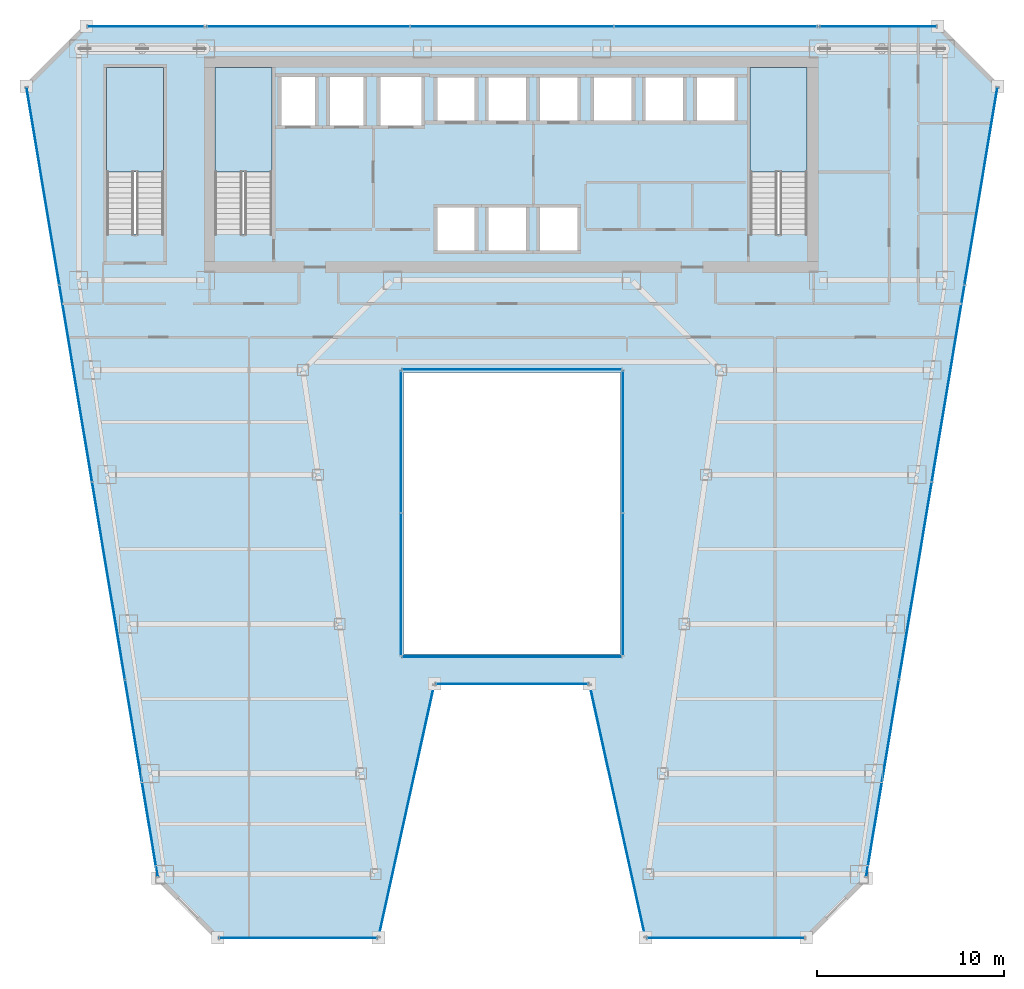
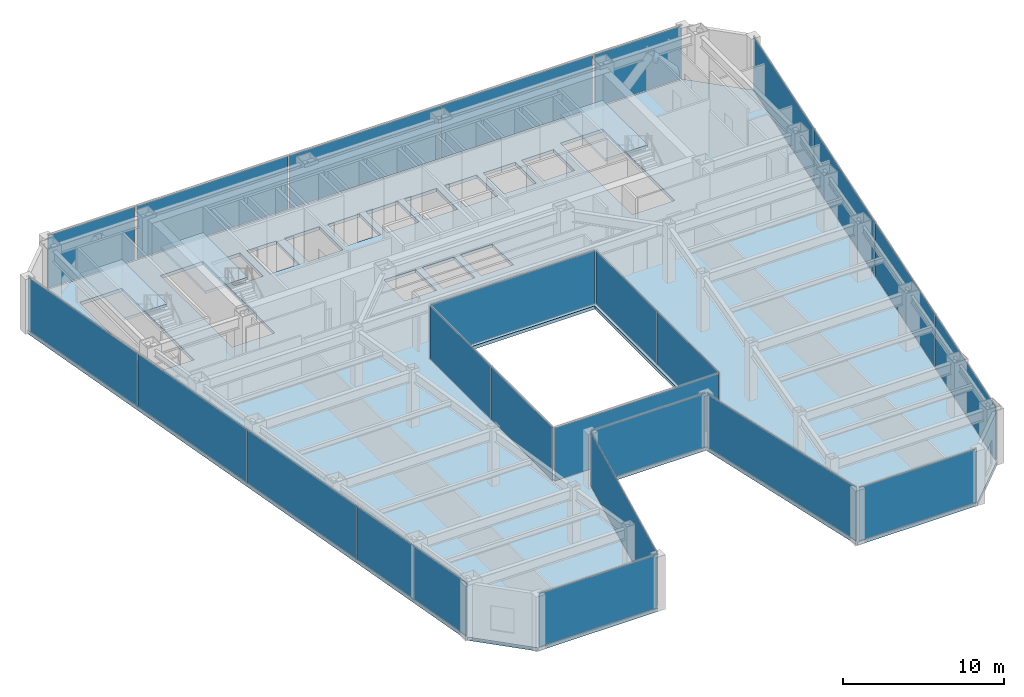
# One storey, part 30 of 37: 24 plates, 4 slabs, 17 elements without a shape of their own.
"""IFC4 building model written with IfcOpenShell, lengths in metres."""

from ifc_helpers import new_model, si_unit, direction, frame, origin, origin_2d, place, context, subcontext, project, spatial, polyline, rectangle, outline, extrude, material, layer, layer_set, type_object, element, aggregate, save


model = new_model("IFC4")

# Units and contexts
model_context = context("Model", 3, precision=1e-05, world=origin(), true_north=direction((0.0, 1.0)))
body_context = subcontext(model_context, "Body", "Model", "MODEL_VIEW")
ifc_project = project(units=[si_unit("LENGTHUNIT", "METRE"), si_unit("AREAUNIT", "SQUARE_METRE"), si_unit("VOLUMEUNIT", "CUBIC_METRE"), si_unit("PLANEANGLEUNIT", "RADIAN"), si_unit("MASSUNIT", "GRAM", prefix="KILO")], contexts=[model_context])

# Site, building, storey
site_placement = place(None, origin())
site = spatial("IfcSite", under=ifc_project, at=site_placement, CompositionType="ELEMENT")
building_placement = place(site_placement, origin())
building = spatial("IfcBuilding", under=site, at=building_placement, Name="Saevonmaru Cultural Tower", CompositionType="ELEMENT")
storey_placement = place(building_placement, frame((0.0, 0.0, 110.39990234375)))
storey = spatial("IfcBuildingStorey", under=building, at=storey_placement, Name="L23", CompositionType="ELEMENT", Elevation=110.39990234375)

# Curtain wall, plate
ifc_material_1 = material(Name="Satin Bronze Anodised Aluminium", Category="aluminium")
curtain_wall_type_1 = type_object("IfcCurtainWallType", Name="CW-ATR-GLZ", PredefinedType="NOTDEFINED", material=ifc_material_1)
curtain_wall_1_placement = place(storey_placement, origin())
curtain_wall_1 = element("IfcCurtainWall", 1, at=curtain_wall_1_placement, inside=storey, type_object=curtain_wall_type_1, Name="L23 Vertical Atrium Glazed Smoke Screen 1", PredefinedType="NOTDEFINED")
ifc_material_2 = material(Name="Fire-Rated Laminated Atrium Glass", Category="glass")
ifc_layer_1 = layer(ifc_material_2, 0.031982421875, Name="Fire-Rated Laminated Atrium Glass")
ifc_layer_set_1 = layer_set([ifc_layer_1], Name="Fire-Rated Laminated Atrium Glass")
plate_type_1 = type_object("IfcPlateType", Name="PN-GLZ-ATR-INT", PredefinedType="CURTAIN_PANEL", material=ifc_layer_set_1)
plate_1_placement = place(storey_placement, frame((30.0, 22.25, 0.067138671875), z_axis=(0.0, 0.0, 1.0), x_axis=(1.0, 0.0, 0.0)))
plate_1 = element("IfcPlate", 2, at=plate_1_placement, type_object=plate_type_1, Name="CW-ATR-L23-1 panel 1.1", PredefinedType="CURTAIN_PANEL", context=body_context, shape_type="SweptSolid", body=[
    extrude(rectangle(XDim=11.7109375, YDim=0.031982421875, at=origin_2d()), origin(), (0.0, 0.0, 1.0), 4.01611328125),
])
aggregate(curtain_wall_1, [plate_1])

# Curtain wall, plates
curtain_wall_2_placement = place(storey_placement, origin())
curtain_wall_2 = element("IfcCurtainWall", 3, at=curtain_wall_2_placement, inside=storey, type_object=curtain_wall_type_1, Name="L23 Vertical Atrium Glazed Smoke Screen 2", PredefinedType="NOTDEFINED")
plate_2_placement = place(storey_placement, frame((35.949951171875, 26.125, 0.067138671875), z_axis=(0.0, 0.0, 1.0), x_axis=(0.0, 1.0, 0.0)))
plate_2 = element("IfcPlate", 4, at=plate_2_placement, type_object=plate_type_1, Name="CW-ATR-L23-2 panel 1.1", PredefinedType="CURTAIN_PANEL", context=body_context, shape_type="SweptSolid", body=[
    extrude(rectangle(XDim=7.56103515625, YDim=0.031982421875, at=origin_2d()), origin(), (0.0, 0.0, 1.0), 4.01611328125),
])
plate_3_placement = place(storey_placement, frame((35.949951171875, 33.7548828125, 0.067138671875), z_axis=(0.0, 0.0, 1.0), x_axis=(0.0, 1.0, 0.0)))
plate_3 = element("IfcPlate", 5, at=plate_3_placement, type_object=plate_type_1, Name="CW-ATR-L23-2 panel 2.1", PredefinedType="CURTAIN_PANEL", context=body_context, shape_type="SweptSolid", body=[
    extrude(rectangle(XDim=7.56103515625, YDim=0.031982421875, at=origin_2d()), origin(), (0.0, 0.0, 1.0), 4.01611328125),
])
aggregate(curtain_wall_2, [plate_2, plate_3])

# Curtain wall, plate
curtain_wall_3_placement = place(storey_placement, origin())
curtain_wall_3 = element("IfcCurtainWall", 6, at=curtain_wall_3_placement, inside=storey, type_object=curtain_wall_type_1, Name="L23 Vertical Atrium Glazed Smoke Screen 3", PredefinedType="NOTDEFINED")
plate_4_placement = place(storey_placement, frame((30.0, 37.6298828125, 0.067138671875), z_axis=(0.0, 0.0, 1.0), x_axis=(-1.0, 0.0, 0.0)))
plate_4 = element("IfcPlate", 7, at=plate_4_placement, type_object=plate_type_1, Name="CW-ATR-L23-3 panel 1.1", PredefinedType="CURTAIN_PANEL", context=body_context, shape_type="SweptSolid", body=[
    extrude(rectangle(XDim=11.7109375, YDim=0.031982421875, at=origin_2d()), origin(), (0.0, 0.0, 1.0), 4.01611328125),
])
aggregate(curtain_wall_3, [plate_4])

# Curtain wall, plates
curtain_wall_4_placement = place(storey_placement, origin())
curtain_wall_4 = element("IfcCurtainWall", 8, at=curtain_wall_4_placement, inside=storey, type_object=curtain_wall_type_1, Name="L23 Vertical Atrium Glazed Smoke Screen 4", PredefinedType="NOTDEFINED")
plate_5_placement = place(storey_placement, frame((24.050048828125, 33.7548828125, 0.067138671875), z_axis=(0.0, 0.0, 1.0), x_axis=(0.0, -1.0, 0.0)))
plate_5 = element("IfcPlate", 9, at=plate_5_placement, type_object=plate_type_1, Name="CW-ATR-L23-4 panel 1.1", PredefinedType="CURTAIN_PANEL", context=body_context, shape_type="SweptSolid", body=[
    extrude(rectangle(XDim=7.56103515625, YDim=0.031982421875, at=origin_2d()), origin(), (0.0, 0.0, 1.0), 4.01611328125),
])
plate_6_placement = place(storey_placement, frame((24.050048828125, 26.125, 0.067138671875), z_axis=(0.0, 0.0, 1.0), x_axis=(0.0, -1.0, 0.0)))
plate_6 = element("IfcPlate", 10, at=plate_6_placement, type_object=plate_type_1, Name="CW-ATR-L23-4 panel 2.1", PredefinedType="CURTAIN_PANEL", context=body_context, shape_type="SweptSolid", body=[
    extrude(rectangle(XDim=7.56103515625, YDim=0.031982421875, at=origin_2d()), origin(), (0.0, 0.0, 1.0), 4.01611328125),
])
aggregate(curtain_wall_4, [plate_5, plate_6])

# Curtain wall, plate
curtain_wall_type_2 = type_object("IfcCurtainWallType", Name="CW-TYP-A", PredefinedType="NOTDEFINED", material=ifc_material_1)
curtain_wall_5_placement = place(storey_placement, origin())
curtain_wall_5 = element("IfcCurtainWall", 11, at=curtain_wall_5_placement, inside=storey, type_object=curtain_wall_type_2, Name="L23 Unitised Curtain Wall E2", PredefinedType="NOTDEFINED")
ifc_material_3 = material(Name="Triple Silver Low-E Insulating Glass", Category="glass")
ifc_layer_2 = layer(ifc_material_3, 0.035888671875, Name="Triple Silver Low-E Insulating Glass")
ifc_layer_set_2 = layer_set([ifc_layer_2], Name="Triple Silver Low-E Insulating Glass")
plate_type_2 = type_object("IfcPlateType", Name="PN-GLZ-IGU", PredefinedType="CURTAIN_PANEL", material=ifc_layer_set_2)
plate_7_placement = place(storey_placement, frame((18.548828125, 7.199951171875, 0.067138671875), z_axis=(0.0, 0.0, 1.0), x_axis=(1.0, 0.0, 0.0)))
plate_7 = element("IfcPlate", 12, at=plate_7_placement, type_object=plate_type_2, Name="CW-TW-L23-E2 panel 1.1", PredefinedType="CURTAIN_PANEL", context=body_context, shape_type="SweptSolid", body=[
    extrude(rectangle(XDim=8.410888671875, YDim=0.035888671875, at=origin_2d()), origin(), (0.0, 0.0, 1.0), 4.01611328125),
])
aggregate(curtain_wall_5, [plate_7])

curtain_wall_6_placement = place(storey_placement, origin())
curtain_wall_6 = element("IfcCurtainWall", 13, at=curtain_wall_6_placement, inside=storey, type_object=curtain_wall_type_2, Name="L23 Unitised Curtain Wall E3", PredefinedType="NOTDEFINED")
plate_8_placement = place(storey_placement, frame((24.348876953125, 14.0, 0.067138671875), z_axis=(0.0, 0.0, 1.0), x_axis=(0.215413319953, 0.976522965212, 0.0)))
plate_8 = element("IfcPlate", 14, at=plate_8_placement, type_object=plate_type_2, Name="CW-TW-L23-E3 panel 1.1", PredefinedType="CURTAIN_PANEL", context=body_context, shape_type="SweptSolid", body=[
    extrude(rectangle(XDim=13.738037109375, YDim=0.035888671875, at=origin_2d()), origin(), (0.0, 0.0, 1.0), 4.01611328125),
])
aggregate(curtain_wall_6, [plate_8])

curtain_wall_7_placement = place(storey_placement, origin())
curtain_wall_7 = element("IfcCurtainWall", 15, at=curtain_wall_7_placement, inside=storey, type_object=curtain_wall_type_2, Name="L23 Unitised Curtain Wall E4", PredefinedType="NOTDEFINED")
plate_9_placement = place(storey_placement, frame((30.0, 20.800048828125, 0.067138671875), z_axis=(0.0, 0.0, 1.0), x_axis=(1.0, 0.0, 0.0)))
plate_9 = element("IfcPlate", 16, at=plate_9_placement, type_object=plate_type_2, Name="CW-TW-L23-E4 panel 1.1", PredefinedType="CURTAIN_PANEL", context=body_context, shape_type="SweptSolid", body=[
    extrude(rectangle(XDim=8.11328125, YDim=0.035888671875, at=origin_2d()), origin(), (0.0, 0.0, 1.0), 4.01611328125),
])
aggregate(curtain_wall_7, [plate_9])

curtain_wall_8_placement = place(storey_placement, origin())
curtain_wall_8 = element("IfcCurtainWall", 17, at=curtain_wall_8_placement, inside=storey, type_object=curtain_wall_type_2, Name="L23 Unitised Curtain Wall E5", PredefinedType="NOTDEFINED")
plate_10_placement = place(storey_placement, frame((35.651123046875, 14.0, 0.067138671875), z_axis=(0.0, 0.0, 1.0), x_axis=(0.215413319953, -0.976522965212, 0.0)))
plate_10 = element("IfcPlate", 18, at=plate_10_placement, type_object=plate_type_2, Name="CW-TW-L23-E5 panel 1.1", PredefinedType="CURTAIN_PANEL", context=body_context, shape_type="SweptSolid", body=[
    extrude(rectangle(XDim=13.738037109375, YDim=0.035888671875, at=origin_2d()), origin(), (0.0, 0.0, 1.0), 4.01611328125),
])
aggregate(curtain_wall_8, [plate_10])

curtain_wall_9_placement = place(storey_placement, origin())
curtain_wall_9 = element("IfcCurtainWall", 19, at=curtain_wall_9_placement, inside=storey, type_object=curtain_wall_type_2, Name="L23 Unitised Curtain Wall E6", PredefinedType="NOTDEFINED")
plate_11_placement = place(storey_placement, frame((41.451171875, 7.199951171875, 0.067138671875), z_axis=(0.0, 0.0, 1.0), x_axis=(1.0, 0.0, 0.0)))
plate_11 = element("IfcPlate", 20, at=plate_11_placement, type_object=plate_type_2, Name="CW-TW-L23-E6 panel 1.1", PredefinedType="CURTAIN_PANEL", context=body_context, shape_type="SweptSolid", body=[
    extrude(rectangle(XDim=8.410888671875, YDim=0.035888671875, at=origin_2d()), origin(), (0.0, 0.0, 1.0), 4.01611328125),
])
aggregate(curtain_wall_9, [plate_11])

# Curtain wall, plates
curtain_wall_10_placement = place(storey_placement, origin())
curtain_wall_10 = element("IfcCurtainWall", 21, at=curtain_wall_10_placement, inside=storey, type_object=curtain_wall_type_2, Name="L23 Unitised Curtain Wall E8", PredefinedType="NOTDEFINED")
plate_12_placement = place(storey_placement, frame((49.839599609375, 15.744384765625, 0.067138671875), z_axis=(0.0, 0.0, 1.0), x_axis=(0.163998702345, 0.986460554523, 0.0)))
plate_12 = element("IfcPlate", 22, at=plate_12_placement, type_object=plate_type_2, Name="CW-TW-L23-E8 panel 1.1", PredefinedType="CURTAIN_PANEL", context=body_context, shape_type="SweptSolid", body=[
    extrude(rectangle(XDim=10.646484375, YDim=0.035888671875, at=origin_2d()), origin(), (0.0, 0.0, 1.0), 4.01611328125),
])
plate_13_placement = place(storey_placement, frame((51.596923828125, 26.314697265625, 0.067138671875), z_axis=(0.0, 0.0, 1.0), x_axis=(0.163998702345, 0.986460554523, 0.0)))
plate_13 = element("IfcPlate", 23, at=plate_13_placement, type_object=plate_type_2, Name="CW-TW-L23-E8 panel 2.1", PredefinedType="CURTAIN_PANEL", context=body_context, shape_type="SweptSolid", body=[
    extrude(rectangle(XDim=10.646484375, YDim=0.035888671875, at=origin_2d()), origin(), (0.0, 0.0, 1.0), 4.01611328125),
])
plate_14_placement = place(storey_placement, frame((53.354248046875, 36.88525390625, 0.067138671875), z_axis=(0.0, 0.0, 1.0), x_axis=(0.163998702345, 0.986460554523, 0.0)))
plate_14 = element("IfcPlate", 24, at=plate_14_placement, type_object=plate_type_2, Name="CW-TW-L23-E8 panel 3.1", PredefinedType="CURTAIN_PANEL", context=body_context, shape_type="SweptSolid", body=[
    extrude(rectangle(XDim=10.646484375, YDim=0.035888671875, at=origin_2d()), origin(), (0.0, 0.0, 1.0), 4.01611328125),
])
plate_15_placement = place(storey_placement, frame((55.111572265625, 47.45556640625, 0.067138671875), z_axis=(0.0, 0.0, 1.0), x_axis=(0.163998702345, 0.986460554523, 0.0)))
plate_15 = element("IfcPlate", 25, at=plate_15_placement, type_object=plate_type_2, Name="CW-TW-L23-E8 panel 4.1", PredefinedType="CURTAIN_PANEL", context=body_context, shape_type="SweptSolid", body=[
    extrude(rectangle(XDim=10.646484375, YDim=0.035888671875, at=origin_2d()), origin(), (0.0, 0.0, 1.0), 4.01611328125),
])
aggregate(curtain_wall_10, [plate_12, plate_13, plate_14, plate_15])

curtain_wall_11_placement = place(storey_placement, origin())
curtain_wall_11 = element("IfcCurtainWall", 26, at=curtain_wall_11_placement, inside=storey, type_object=curtain_wall_type_2, Name="L23 North Spine Unitised Curtain Wall E10B", PredefinedType="NOTDEFINED")
plate_16_placement = place(storey_placement, frame((40.893310546875, 56.0, 0.067138671875), z_axis=(0.0, 0.0, 1.0), x_axis=(-1.0, 0.0, 0.0)))
plate_16 = element("IfcPlate", 27, at=plate_16_placement, type_object=plate_type_2, Name="CW-TW-L23-E10B panel 1.1", PredefinedType="CURTAIN_PANEL", context=body_context, shape_type="SweptSolid", body=[
    extrude(rectangle(XDim=10.82421875, YDim=0.035888671875, at=origin_2d()), origin(), (0.0, 0.0, 1.0), 4.01611328125),
])
plate_17_placement = place(storey_placement, frame((30.0, 56.0, 0.067138671875), z_axis=(0.0, 0.0, 1.0), x_axis=(-1.0, 0.0, 0.0)))
plate_17 = element("IfcPlate", 28, at=plate_17_placement, type_object=plate_type_2, Name="CW-TW-L23-E10B panel 2.1", PredefinedType="CURTAIN_PANEL", context=body_context, shape_type="SweptSolid", body=[
    extrude(rectangle(XDim=10.82421875, YDim=0.035888671875, at=origin_2d()), origin(), (0.0, 0.0, 1.0), 4.01611328125),
])
plate_18_placement = place(storey_placement, frame((19.106689453125, 56.0, 0.067138671875), z_axis=(0.0, 0.0, 1.0), x_axis=(-1.0, 0.0, 0.0)))
plate_18 = element("IfcPlate", 29, at=plate_18_placement, type_object=plate_type_2, Name="CW-TW-L23-E10B panel 3.1", PredefinedType="CURTAIN_PANEL", context=body_context, shape_type="SweptSolid", body=[
    extrude(rectangle(XDim=10.82421875, YDim=0.035888671875, at=origin_2d()), origin(), (0.0, 0.0, 1.0), 4.01611328125),
])
aggregate(curtain_wall_11, [plate_16, plate_17, plate_18])

curtain_wall_12_placement = place(storey_placement, origin())
curtain_wall_12 = element("IfcCurtainWall", 30, at=curtain_wall_12_placement, inside=storey, type_object=curtain_wall_type_2, Name="L23 Unitised Curtain Wall E12", PredefinedType="NOTDEFINED")
plate_19_placement = place(storey_placement, frame((4.888427734375, 47.45556640625, 0.067138671875), z_axis=(0.0, 0.0, 1.0), x_axis=(0.163998702345, -0.986460554523, 0.0)))
plate_19 = element("IfcPlate", 31, at=plate_19_placement, type_object=plate_type_2, Name="CW-TW-L23-E12 panel 1.1", PredefinedType="CURTAIN_PANEL", context=body_context, shape_type="SweptSolid", body=[
    extrude(rectangle(XDim=10.646484375, YDim=0.035888671875, at=origin_2d()), origin(), (0.0, 0.0, 1.0), 4.01611328125),
])
plate_20_placement = place(storey_placement, frame((6.645751953125, 36.88525390625, 0.067138671875), z_axis=(0.0, 0.0, 1.0), x_axis=(0.163998702345, -0.986460554523, 0.0)))
plate_20 = element("IfcPlate", 32, at=plate_20_placement, type_object=plate_type_2, Name="CW-TW-L23-E12 panel 2.1", PredefinedType="CURTAIN_PANEL", context=body_context, shape_type="SweptSolid", body=[
    extrude(rectangle(XDim=10.646484375, YDim=0.035888671875, at=origin_2d()), origin(), (0.0, 0.0, 1.0), 4.01611328125),
])
plate_21_placement = place(storey_placement, frame((8.403076171875, 26.314697265625, 0.067138671875), z_axis=(0.0, 0.0, 1.0), x_axis=(0.163998702345, -0.986460554523, 0.0)))
plate_21 = element("IfcPlate", 33, at=plate_21_placement, type_object=plate_type_2, Name="CW-TW-L23-E12 panel 3.1", PredefinedType="CURTAIN_PANEL", context=body_context, shape_type="SweptSolid", body=[
    extrude(rectangle(XDim=10.646484375, YDim=0.035888671875, at=origin_2d()), origin(), (0.0, 0.0, 1.0), 4.01611328125),
])
plate_22_placement = place(storey_placement, frame((10.160400390625, 15.744384765625, 0.067138671875), z_axis=(0.0, 0.0, 1.0), x_axis=(0.163998702345, -0.986460554523, 0.0)))
plate_22 = element("IfcPlate", 34, at=plate_22_placement, type_object=plate_type_2, Name="CW-TW-L23-E12 panel 4.1", PredefinedType="CURTAIN_PANEL", context=body_context, shape_type="SweptSolid", body=[
    extrude(rectangle(XDim=10.646484375, YDim=0.035888671875, at=origin_2d()), origin(), (0.0, 0.0, 1.0), 4.01611328125),
])
aggregate(curtain_wall_12, [plate_19, plate_20, plate_21, plate_22])

# Curtain wall, plate
curtain_wall_13_placement = place(storey_placement, origin())
curtain_wall_13 = element("IfcCurtainWall", 35, at=curtain_wall_13_placement, inside=storey, type_object=curtain_wall_type_2, Name="L23 East Braced Bay Spandrel Curtain Wall E10A", PredefinedType="NOTDEFINED")
ifc_material_4 = material(Name="Insulated Satin Bronze Aluminium Spandrel Panel", Category="aluminium")
ifc_layer_3 = layer(ifc_material_4, 0.0400390625, Name="Insulated Satin Bronze Aluminium Spandrel Panel")
ifc_layer_set_3 = layer_set([ifc_layer_3], Name="Insulated Satin Bronze Aluminium Spandrel Panel")
plate_type_3 = type_object("IfcPlateType", Name="PN-SPANDREL-BRONZE", PredefinedType="CURTAIN_PANEL", material=ifc_layer_set_3)
plate_23_placement = place(storey_placement, frame((49.60009765625, 56.0, 0.067138671875), z_axis=(0.0, 0.0, 1.0), x_axis=(-1.0, 0.0, 0.0)))
plate_23 = element("IfcPlate", 36, at=plate_23_placement, type_object=plate_type_3, Name="CW-TW-L23-E10A panel 1.1", PredefinedType="CURTAIN_PANEL", context=body_context, shape_type="SweptSolid", body=[
    extrude(rectangle(XDim=6.2109375, YDim=0.035888671875, at=origin_2d()), origin(), (0.0, 0.0, 1.0), 4.01611328125),
])
aggregate(curtain_wall_13, [plate_23])

curtain_wall_14_placement = place(storey_placement, origin())
curtain_wall_14 = element("IfcCurtainWall", 37, at=curtain_wall_14_placement, inside=storey, type_object=curtain_wall_type_2, Name="L23 West Braced Bay Spandrel Curtain Wall E10C", PredefinedType="NOTDEFINED")
plate_24_placement = place(storey_placement, frame((10.39990234375, 56.0, 0.067138671875), z_axis=(0.0, 0.0, 1.0), x_axis=(-1.0, 0.0, 0.0)))
plate_24 = element("IfcPlate", 38, at=plate_24_placement, type_object=plate_type_3, Name="CW-TW-L23-E10C panel 1.1", PredefinedType="CURTAIN_PANEL", context=body_context, shape_type="SweptSolid", body=[
    extrude(rectangle(XDim=6.2109375, YDim=0.035888671875, at=origin_2d()), origin(), (0.0, 0.0, 1.0), 4.01611328125),
])
aggregate(curtain_wall_14, [plate_24])

# Slab
ifc_material_5 = material(Name="Concrete C40/50", Category="concrete")
ifc_layer_4 = layer(ifc_material_5, 0.25, Name="Concrete C40/50")
ifc_layer_set_4 = layer_set([ifc_layer_4], Name="Concrete C40/50")
slab_type_1 = type_object("IfcSlabType", Name="SL-FLR-250", PredefinedType="FLOOR", material=ifc_layer_set_4)
slab_1_placement = place(storey_placement, frame((0.0, 0.0, -0.25)))
element("IfcSlab", 39, at=slab_1_placement, inside=storey, type_object=slab_type_1, Name="L23 Tower Structural Floor Slab", PredefinedType="FLOOR", context=body_context, shape_type="SweptSolid", body=[
    extrude(outline(polyline([(11.048828125, 10.39990234375), (14.248779296875, 7.199951171875), (22.848876953125, 7.199951171875), (25.848876953125, 20.800048828125), (34.151123046875, 20.800048828125), (37.151123046875, 7.199951171875), (45.751220703125, 7.199951171875), (48.951171875, 10.39990234375), (56.0, 52.800048828125), (52.800048828125, 56.0), (7.199951171875, 56.0), (4.0, 52.800048828125), (11.048828125, 10.39990234375)]), holes=[polyline([(45.800048828125, 44.875), (42.75, 44.875), (42.75, 53.800048828125), (45.800048828125, 53.800048828125), (45.800048828125, 44.875)]), polyline([(39.75, 50.800048828125), (39.75, 53.39990234375), (42.050048828125, 53.39990234375), (42.050048828125, 50.800048828125), (39.75, 50.800048828125)]), polyline([(37.0, 50.800048828125), (37.0, 53.39990234375), (39.300048828125, 53.39990234375), (39.300048828125, 50.800048828125), (37.0, 50.800048828125)]), polyline([(34.25, 50.800048828125), (34.25, 53.39990234375), (36.550048828125, 53.39990234375), (36.550048828125, 50.800048828125), (34.25, 50.800048828125)]), polyline([(24.199951171875, 22.39990234375), (24.199951171875, 37.47998046875), (35.800048828125, 37.47998046875), (35.800048828125, 22.39990234375), (24.199951171875, 22.39990234375)]), polyline([(31.35009765625, 50.800048828125), (31.35009765625, 53.39990234375), (33.64990234375, 53.39990234375), (33.64990234375, 50.800048828125), (31.35009765625, 50.800048828125)]), polyline([(31.35009765625, 43.85009765625), (31.35009765625, 46.449951171875), (33.64990234375, 46.449951171875), (33.64990234375, 43.85009765625), (31.35009765625, 43.85009765625)]), polyline([(28.60009765625, 43.85009765625), (28.60009765625, 46.449951171875), (30.89990234375, 46.449951171875), (30.89990234375, 43.85009765625), (28.60009765625, 43.85009765625)]), polyline([(28.60009765625, 50.800048828125), (28.60009765625, 53.39990234375), (30.89990234375, 53.39990234375), (30.89990234375, 50.800048828125), (28.60009765625, 50.800048828125)]), polyline([(25.85009765625, 50.800048828125), (25.85009765625, 53.39990234375), (28.14990234375, 53.39990234375), (28.14990234375, 50.800048828125), (25.85009765625, 50.800048828125)]), polyline([(25.85009765625, 43.85009765625), (25.85009765625, 46.449951171875), (28.14990234375, 46.449951171875), (28.14990234375, 43.85009765625), (25.85009765625, 43.85009765625)]), polyline([(22.800048828125, 50.550048828125), (22.800048828125, 53.449951171875), (25.300048828125, 53.449951171875), (25.300048828125, 50.550048828125), (22.800048828125, 50.550048828125)]), polyline([(20.10009765625, 50.550048828125), (20.10009765625, 53.449951171875), (22.199951171875, 53.449951171875), (22.199951171875, 50.550048828125), (20.10009765625, 50.550048828125)]), polyline([(17.5, 50.550048828125), (17.5, 53.449951171875), (19.60009765625, 53.449951171875), (19.60009765625, 50.550048828125), (17.5, 50.550048828125)]), polyline([(17.14990234375, 44.875), (14.10009765625, 44.875), (14.10009765625, 53.800048828125), (17.14990234375, 53.800048828125), (17.14990234375, 44.875)]), polyline([(11.35009765625, 44.875), (8.300048828125, 44.875), (8.300048828125, 53.800048828125), (11.35009765625, 53.800048828125), (11.35009765625, 44.875)])]), origin(), (0.0, 0.0, 1.0), 0.25),
])

# Stair, slab
stair_type = type_object("IfcStairType", Name="STR-DOGLEG-RC", PredefinedType="HALF_TURN_STAIR", material=ifc_material_5)
stair_1_placement = place(storey_placement, origin())
stair_1 = element("IfcStair", 40, at=stair_1_placement, inside=storey, type_object=stair_type, Name="L23 Protected exit stair ST-1", PredefinedType="HALF_TURN_STAIR")
ifc_layer_5 = layer(ifc_material_5, 0.199951171875, Name="Concrete C40/50")
ifc_layer_set_5 = layer_set([ifc_layer_5], Name="Concrete C40/50")
slab_type_2 = type_object("IfcSlabType", Name="SL-STAIR-LANDING", PredefinedType="LANDING", material=ifc_layer_set_5)
slab_2_placement = place(storey_placement, frame((0.0, 0.0, 2.0)))
slab_2 = element("IfcSlab", 41, at=slab_2_placement, type_object=slab_type_2, Name="ST-1-L23 landing 1", PredefinedType="LANDING", context=body_context, shape_type="SweptSolid", body=[
    extrude(outline(polyline([(17.14990234375, 48.2099609375), (17.14990234375, 53.800048828125), (14.10009765625, 53.800048828125), (14.10009765625, 48.2099609375), (17.14990234375, 48.2099609375)])), origin(), (0.0, 0.0, 1.0), 0.2001953125),
])
aggregate(stair_1, [slab_2])

stair_2_placement = place(storey_placement, origin())
stair_2 = element("IfcStair", 42, at=stair_2_placement, inside=storey, type_object=stair_type, Name="L23 Protected exit stair ST-2", PredefinedType="HALF_TURN_STAIR")
slab_3_placement = place(storey_placement, frame((0.0, 0.0, 2.0)))
slab_3 = element("IfcSlab", 43, at=slab_3_placement, type_object=slab_type_2, Name="ST-2-L23 landing 1", PredefinedType="LANDING", context=body_context, shape_type="SweptSolid", body=[
    extrude(outline(polyline([(45.800048828125, 48.2099609375), (45.800048828125, 53.800048828125), (42.75, 53.800048828125), (42.75, 48.2099609375), (45.800048828125, 48.2099609375)])), origin(), (0.0, 0.0, 1.0), 0.2001953125),
])
aggregate(stair_2, [slab_3])

stair_3_placement = place(storey_placement, origin())
stair_3 = element("IfcStair", 44, at=stair_3_placement, inside=storey, type_object=stair_type, Name="L23 Protected exit stair ST-3", PredefinedType="HALF_TURN_STAIR")
slab_4_placement = place(storey_placement, frame((0.0, 0.0, 2.0)))
slab_4 = element("IfcSlab", 45, at=slab_4_placement, type_object=slab_type_2, Name="ST-3-L23 landing 1", PredefinedType="LANDING", context=body_context, shape_type="SweptSolid", body=[
    extrude(outline(polyline([(11.35009765625, 48.2099609375), (11.35009765625, 53.800048828125), (8.300048828125, 53.800048828125), (8.300048828125, 48.2099609375), (11.35009765625, 48.2099609375)])), origin(), (0.0, 0.0, 1.0), 0.2001953125),
])
aggregate(stair_3, [slab_4])

save(model, "model.ifc")
